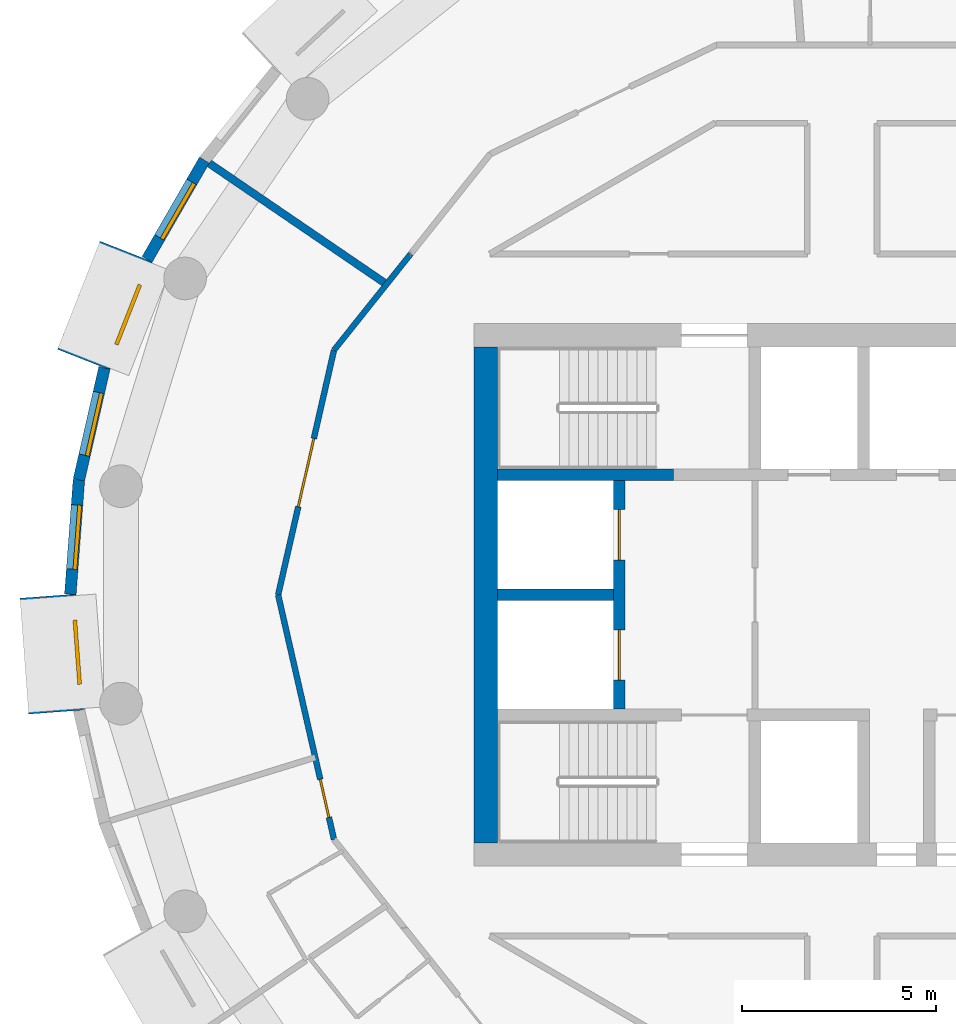
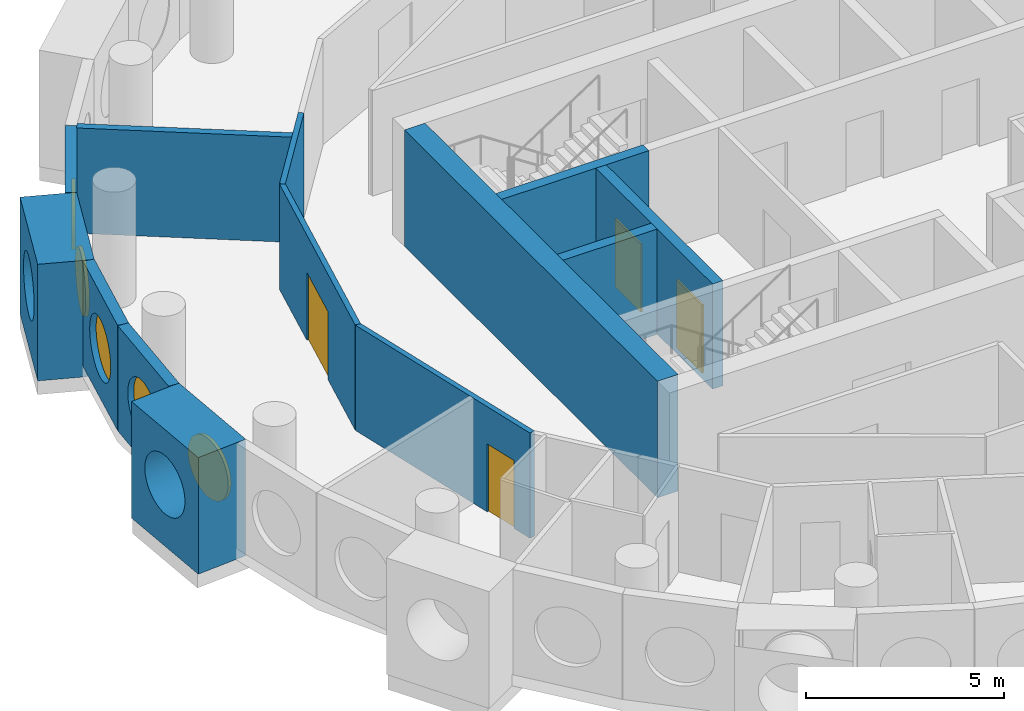
# One storey, part 6 of 13: 13 walls, 5 windows, 4 doors, 9 openings.
"""IFC4 building model written with IfcOpenShell, lengths in metres."""

from ifc_helpers import new_model, si_unit, direction, frame, frame_2d, origin, origin_2d, place, context, subcontext, project, spatial, rectangle, circle, extrude, material, layer, layer_set, type_object, element, fill, save


model = new_model("IFC4")

# Units and contexts
model_context = context("Model", 3, precision=1e-05, world=origin(), true_north=direction((0.0, 1.0)))
body_context = subcontext(model_context, "Body", "Model", "MODEL_VIEW")
ifc_project = project(units=[si_unit("LENGTHUNIT", "METRE"), si_unit("AREAUNIT", "SQUARE_METRE"), si_unit("VOLUMEUNIT", "CUBIC_METRE"), si_unit("PLANEANGLEUNIT", "RADIAN"), si_unit("MASSUNIT", "GRAM", prefix="KILO")], contexts=[model_context])

# Site, building, storey
site_placement = place(None, origin())
site = spatial("IfcSite", under=ifc_project, at=site_placement, CompositionType="ELEMENT")
building_placement = place(site_placement, origin())
building = spatial("IfcBuilding", under=site, at=building_placement, Name="Tracery Tower", CompositionType="ELEMENT")
storey_placement = place(building_placement, frame((0.0, 0.0, 252.60009765625)))
storey = spatial("IfcBuildingStorey", under=building, at=storey_placement, Name="L65", CompositionType="ELEMENT", Elevation=252.60009765625)

# Wall
ifc_material_1 = material(Name="Concrete C40/50", Category="concrete")
ifc_layer_1 = layer(ifc_material_1, 0.60009765625)
ifc_layer_set_1 = layer_set([ifc_layer_1], Name="Core wall 600 C40")
wall_type_1 = type_object("IfcWallType", Name="Core wall 600 C40", PredefinedType="SOLIDWALL", material=ifc_layer_set_1)
wall_1_placement = place(storey_placement, frame((-9.199951171875, -6.39990234375, 0.0), z_axis=(0.0, 0.0, 1.0), x_axis=(0.0, 1.0, 0.0)))
element("IfcWall", 1, at=wall_1_placement, inside=storey, type_object=wall_type_1, Name="L65 outer W", PredefinedType="SOLIDWALL", context=body_context, shape_type="SweptSolid", body=[
    extrude(rectangle(XDim=12.7998046875, YDim=0.60009765625, at=frame_2d((6.39990234375, 0.0))), origin(), (0.0, 0.0, 1.0), 3.599853515625),
])

# Wall, opening, window
ifc_material_2 = material(Name="Precast concrete C50/60", Category="concrete")
ifc_layer_2 = layer(ifc_material_2, 1.449951171875)
ifc_layer_set_2 = layer_set([ifc_layer_2], Name="Deep-set bay unit 3000 x 3600, slab edge 350")
wall_type_2 = type_object("IfcWallType", Name="Deep-set bay unit 3000 x 3600, slab edge 350", PredefinedType="ELEMENTEDWALL", material=ifc_layer_set_2)
wall_2_placement = place(storey_placement, frame((-18.47998046875, 8.8642578125, -0.35009765625), z_axis=(0.0, 0.0, 1.0), x_axis=(-0.36537792632, -0.93085926485, 0.0)))
wall_2 = element("IfcWall", 2, at=wall_2_placement, inside=storey, type_object=wall_type_2, Name="Deep-set bay unit 19 at L65", PredefinedType="ELEMENTEDWALL", context=body_context, shape_type="SweptSolid", body=[
    extrude(rectangle(XDim=3.000244140625, YDim=1.449951171875, at=frame_2d((1.5, 0.0))), origin(), (0.0, 0.0, 1.0), 3.60009765625),
])
opening_1_placement = place(wall_2_placement, frame((1.5, 0.0, 1.89990234375)))
opening_1 = element("IfcOpeningElement", 3, at=opening_1_placement, cuts=wall_2, Name="Opening WN1", PredefinedType="OPENING", context=body_context, shape_type="SweptSolid", body=[
    extrude(circle(Radius=0.9000244140625, at=origin_2d()), frame((0.0, 0.73486328125, 0.0), z_axis=(0.0, -1.0, 0.0), x_axis=(1.0, 0.0, 0.0)), (0.0, 0.0, 1.0), 1.469970703125),
])
ifc_material_3 = material(Name="Aluminium frame with tinted double glazing", Category="aluminium")
window_type = type_object("IfcWindowType", Name="Round window 1800", PartitioningType="SINGLE_PANEL", PredefinedType="WINDOW", material=ifc_material_3)
window_1_placement = place(opening_1_placement, origin())
window_1 = element("IfcWindow", 4, at=window_1_placement, inside=storey, type_object=window_type, Name="Round window 19 at L65", OverallHeight=1.800048828125, OverallWidth=1.800048828125, PartitioningType="SINGLE_PANEL", PredefinedType="WINDOW", context=body_context, shape_type="SweptSolid", body=[
    extrude(circle(Radius=0.9000244140625, at=origin_2d()), frame((0.0, 0.69482421875, 0.0), z_axis=(0.0, -1.0, 0.0), x_axis=(1.0, 0.0, 0.0)), (0.0, 0.0, 1.0), 0.10009765625),
])
fill(opening_1, window_1)

wall_3_placement = place(storey_placement, frame((-20.49609375, -0.03173828125, -0.35009765625), z_axis=(0.0, 0.0, 1.0), x_axis=(0.074785902127, -0.997199613339, 0.0)))
wall_3 = element("IfcWall", 5, at=wall_3_placement, inside=storey, type_object=wall_type_2, Name="Deep-set bay unit 22 at L65", PredefinedType="ELEMENTEDWALL", context=body_context, shape_type="SweptSolid", body=[
    extrude(rectangle(XDim=3.0, YDim=1.449951171875, at=frame_2d((1.5, 0.0))), origin(), (0.0, 0.0, 1.0), 3.60009765625),
])
opening_2_placement = place(wall_3_placement, frame((1.5, 0.0, 1.89990234375)))
opening_2 = element("IfcOpeningElement", 6, at=opening_2_placement, cuts=wall_3, Name="Opening WN1", PredefinedType="OPENING", context=body_context, shape_type="SweptSolid", body=[
    extrude(circle(Radius=0.9000244140625, at=origin_2d()), frame((0.0, 0.73486328125, 0.0), z_axis=(0.0, -1.0, 0.0), x_axis=(1.0, 0.0, 0.0)), (0.0, 0.0, 1.0), 1.469970703125),
])
window_2_placement = place(opening_2_placement, origin())
window_2 = element("IfcWindow", 7, at=window_2_placement, inside=storey, type_object=window_type, Name="Round window 22 at L65", OverallHeight=1.800048828125, OverallWidth=1.800048828125, PartitioningType="SINGLE_PANEL", PredefinedType="WINDOW", context=body_context, shape_type="SweptSolid", body=[
    extrude(circle(Radius=0.9000244140625, at=origin_2d()), frame((0.0, 0.69482421875, 0.0), z_axis=(0.0, -1.0, 0.0), x_axis=(1.0, 0.0, 0.0)), (0.0, 0.0, 1.0), 0.10009765625),
])
fill(opening_2, window_2)

ifc_material_4 = material(Name="Precast concrete C50/60", Category="concrete")
ifc_layer_3 = layer(ifc_material_4, 0.300048828125)
ifc_layer_set_3 = layer_set([ifc_layer_3], Name="Facade panel 3000 x 3250")
wall_type_3 = type_object("IfcWallType", Name="Facade panel 3000 x 3250", PredefinedType="SOLIDWALL", material=ifc_layer_set_3)
wall_4_placement = place(storey_placement, frame((-16.460205078125, 11.222412109375, 0.0), z_axis=(0.0, 0.0, 1.0), x_axis=(-0.499950756475, -0.86605383268, 0.0)))
wall_4 = element("IfcWall", 8, at=wall_4_placement, inside=storey, type_object=wall_type_3, Name="Facade panel 18 at L65", PredefinedType="SOLIDWALL", context=body_context, shape_type="SweptSolid", body=[
    extrude(rectangle(XDim=2.962158203125, YDim=0.300048828125, at=frame_2d((1.48095703125, 0.0))), origin(), (0.0, 0.0, 1.0), 3.25),
])
opening_3_placement = place(wall_4_placement, frame((1.48095703125, 0.0, 1.5498046875)))
opening_3 = element("IfcOpeningElement", 9, at=opening_3_placement, cuts=wall_4, Name="Opening WN1", PredefinedType="OPENING", context=body_context, shape_type="SweptSolid", body=[
    extrude(circle(Radius=0.9000244140625, at=origin_2d()), frame((0.0, 0.159912109375, 0.0), z_axis=(0.0, -1.0, 0.0), x_axis=(1.0, 0.0, 0.0)), (0.0, 0.0, 1.0), 0.320068359375),
])
window_3_placement = place(opening_3_placement, origin())
window_3 = element("IfcWindow", 10, at=window_3_placement, inside=storey, type_object=window_type, Name="Round window 18 at L65", OverallHeight=1.800048828125, OverallWidth=1.800048828125, PartitioningType="SINGLE_PANEL", PredefinedType="WINDOW", context=body_context, shape_type="SweptSolid", body=[
    extrude(circle(Radius=0.9000244140625, at=origin_2d()), frame((0.0, 0.1201171875, 0.0), z_axis=(0.0, -1.0, 0.0), x_axis=(1.0, 0.0, 0.0)), (0.0, 0.0, 1.0), 0.10009765625),
])
fill(opening_3, window_3)

wall_5_placement = place(storey_placement, frame((-19.0400390625, 5.857177734375, 0.0), z_axis=(0.0, 0.0, 1.0), x_axis=(-0.222529389789, -0.974925982155, 0.0)))
wall_5 = element("IfcWall", 11, at=wall_5_placement, inside=storey, type_object=wall_type_3, Name="Facade panel 20 at L65", PredefinedType="SOLIDWALL", context=body_context, shape_type="SweptSolid", body=[
    extrude(rectangle(XDim=2.962158203125, YDim=0.300048828125, at=frame_2d((1.48095703125, 0.0))), origin(), (0.0, 0.0, 1.0), 3.25),
])
opening_4_placement = place(wall_5_placement, frame((1.48095703125, 0.0, 1.5498046875)))
opening_4 = element("IfcOpeningElement", 12, at=opening_4_placement, cuts=wall_5, Name="Opening WN1", PredefinedType="OPENING", context=body_context, shape_type="SweptSolid", body=[
    extrude(circle(Radius=0.9000244140625, at=origin_2d()), frame((0.0, 0.159912109375, 0.0), z_axis=(0.0, -1.0, 0.0), x_axis=(1.0, 0.0, 0.0)), (0.0, 0.0, 1.0), 0.320068359375),
])
window_4_placement = place(opening_4_placement, origin())
window_4 = element("IfcWindow", 13, at=window_4_placement, inside=storey, type_object=window_type, Name="Round window 20 at L65", OverallHeight=1.800048828125, OverallWidth=1.800048828125, PartitioningType="SINGLE_PANEL", PredefinedType="WINDOW", context=body_context, shape_type="SweptSolid", body=[
    extrude(circle(Radius=0.9000244140625, at=origin_2d()), frame((0.0, 0.1201171875, 0.0), z_axis=(0.0, -1.0, 0.0), x_axis=(1.0, 0.0, 0.0)), (0.0, 0.0, 1.0), 0.10009765625),
])
fill(opening_4, window_4)

wall_6_placement = place(storey_placement, frame((-19.69921875, 2.96923828125, 0.0), z_axis=(0.0, 0.0, 1.0), x_axis=(-0.07474897196, -0.997202382263, 0.0)))
wall_6 = element("IfcWall", 14, at=wall_6_placement, inside=storey, type_object=wall_type_3, Name="Facade panel 21 at L65", PredefinedType="SOLIDWALL", context=body_context, shape_type="SweptSolid", body=[
    extrude(rectangle(XDim=2.96240234375, YDim=0.300048828125, at=frame_2d((1.481201171875, 0.0))), origin(), (0.0, 0.0, 1.0), 3.25),
])
opening_5_placement = place(wall_6_placement, frame((1.48095703125, 0.0, 1.5498046875)))
opening_5 = element("IfcOpeningElement", 15, at=opening_5_placement, cuts=wall_6, Name="Opening WN1", PredefinedType="OPENING", context=body_context, shape_type="SweptSolid", body=[
    extrude(circle(Radius=0.9000244140625, at=origin_2d()), frame((0.0, 0.159912109375, 0.0), z_axis=(0.0, -1.0, 0.0), x_axis=(1.0, 0.0, 0.0)), (0.0, 0.0, 1.0), 0.320068359375),
])
window_5_placement = place(opening_5_placement, origin())
window_5 = element("IfcWindow", 16, at=window_5_placement, inside=storey, type_object=window_type, Name="Round window 21 at L65", OverallHeight=1.800048828125, OverallWidth=1.800048828125, PartitioningType="SINGLE_PANEL", PredefinedType="WINDOW", context=body_context, shape_type="SweptSolid", body=[
    extrude(circle(Radius=0.9000244140625, at=origin_2d()), frame((0.0, 0.1201171875, 0.0), z_axis=(0.0, -1.0, 0.0), x_axis=(1.0, 0.0, 0.0)), (0.0, 0.0, 1.0), 0.10009765625),
])
fill(opening_5, window_5)

# Wall
ifc_material_5 = material(Name="Plasterboard on steel studs", Category="steel")
ifc_layer_4 = layer(ifc_material_5, 0.14990234375)
ifc_layer_set_4 = layer_set([ifc_layer_4], Name="Partition 150 corridor wall")
wall_type_4 = type_object("IfcWallType", Name="Partition 150 corridor wall", PredefinedType="PARTITIONING", material=ifc_layer_set_4)
wall_7_placement = place(storey_placement, frame((-13.115234375, 6.316162109375, 0.0), z_axis=(0.0, 0.0, 1.0), x_axis=(0.623560523309, 0.781775078761, 0.0)))
element("IfcWall", 17, at=wall_7_placement, inside=storey, type_object=wall_type_4, Name="Corridor wall RC3-034", PredefinedType="PARTITIONING", context=body_context, shape_type="SweptSolid", body=[
    extrude(rectangle(XDim=3.17724609375, YDim=0.14990234375, at=frame_2d((1.588623046875, 0.0))), origin(), (0.0, 0.0, 1.0), 3.25),
])

# Wall, opening, door
wall_8_placement = place(storey_placement, frame((-14.556884765625, 0.0, 0.0), z_axis=(0.0, 0.0, 1.0), x_axis=(0.22264061368, -0.974900588337, 0.0)))
wall_8 = element("IfcWall", 18, at=wall_8_placement, inside=storey, type_object=wall_type_4, Name="Corridor wall RC3-035", PredefinedType="PARTITIONING", context=body_context, shape_type="SweptSolid", body=[
    extrude(rectangle(XDim=6.478515625, YDim=0.14990234375, at=frame_2d((3.2392578125, 0.0))), origin(), (0.0, 0.0, 1.0), 3.25),
])
opening_6_placement = place(wall_8_placement, frame((4.888427734375, 0.0, 0.0)))
opening_6 = element("IfcOpeningElement", 19, at=opening_6_placement, cuts=wall_8, Name="Opening RC3-19", PredefinedType="OPENING", context=body_context, shape_type="SweptSolid", body=[
    extrude(rectangle(XDim=1.0, YDim=2.10009765625, at=frame_2d((0.5, 1.050048828125))), frame((0.0, 0.074951171875, 0.0), z_axis=(0.0, -1.0, 0.0), x_axis=(1.0, 0.0, 0.0)), (0.0, 0.0, 1.0), 0.14990234375),
])
ifc_material_6 = material(Name="Timber door leaf", Category="wood")
door_type_1 = type_object("IfcDoorType", Name="Door unit entrance 1000", OperationType="NOTDEFINED", PredefinedType="DOOR", material=ifc_material_6)
door_1_placement = place(opening_6_placement, origin())
door_1 = element("IfcDoor", 20, at=door_1_placement, inside=storey, type_object=door_type_1, Name="Unit entrance door RC3-19", OperationType="SINGLE_SWING_RIGHT", OverallHeight=2.10009765625, OverallWidth=1.0, PredefinedType="DOOR", context=body_context, shape_type="SweptSolid", body=[
    extrude(rectangle(XDim=1.0, YDim=2.10009765625, at=frame_2d((0.5, 1.050048828125))), frame((0.0, 0.02490234375, 0.0), z_axis=(0.0, -1.0, 0.0), x_axis=(1.0, 0.0, 0.0)), (0.0, 0.0, 1.0), 0.050048828125),
])
fill(opening_6, door_1)

wall_9_placement = place(storey_placement, frame((-14.556884765625, 0.0, 0.0), z_axis=(0.0, 0.0, 1.0), x_axis=(0.222568978642, 0.97491694505, 0.0)))
wall_9 = element("IfcWall", 21, at=wall_9_placement, inside=storey, type_object=wall_type_4, Name="Corridor wall RC3-036", PredefinedType="PARTITIONING", context=body_context, shape_type="SweptSolid", body=[
    extrude(rectangle(XDim=6.478515625, YDim=0.14990234375, at=frame_2d((3.2392578125, 0.0))), origin(), (0.0, 0.0, 1.0), 3.25),
])
opening_7_placement = place(wall_9_placement, frame((2.339111328125, 0.0, 0.0)))
opening_7 = element("IfcOpeningElement", 22, at=opening_7_placement, cuts=wall_9, Name="Opening RC3-17", PredefinedType="OPENING", context=body_context, shape_type="SweptSolid", body=[
    extrude(rectangle(XDim=1.800048828125, YDim=2.10009765625, at=frame_2d((0.89990234375, 1.050048828125))), frame((0.0, 0.074951171875, 0.0), z_axis=(0.0, -1.0, 0.0), x_axis=(1.0, 0.0, 0.0)), (0.0, 0.0, 1.0), 0.14990234375),
])
ifc_material_7 = material(Name="Timber door leaf", Category="wood")
door_type_2 = type_object("IfcDoorType", Name="Door double lounge 1800", OperationType="NOTDEFINED", PredefinedType="DOOR", material=ifc_material_7)
door_2_placement = place(opening_7_placement, origin())
door_2 = element("IfcDoor", 23, at=door_2_placement, inside=storey, type_object=door_type_2, Name="Double lounge door RC3-17", OperationType="DOUBLE_DOOR_SINGLE_SWING", OverallHeight=2.10009765625, OverallWidth=1.800048828125, PredefinedType="DOOR", context=body_context, shape_type="SweptSolid", body=[
    extrude(rectangle(XDim=1.800048828125, YDim=2.10009765625, at=frame_2d((0.89990234375, 1.050048828125))), frame((0.0, 0.02490234375, 0.0), z_axis=(0.0, -1.0, 0.0), x_axis=(1.0, 0.0, 0.0)), (0.0, 0.0, 1.0), 0.050048828125),
])
fill(opening_7, door_2)

# Walls
ifc_material_8 = material(Name="Plasterboard on steel studs", Category="steel")
ifc_layer_5 = layer(ifc_material_8, 0.199951171875)
ifc_layer_set_5 = layer_set([ifc_layer_5], Name="Partition 200 compartment wall")
wall_type_5 = type_object("IfcWallType", Name="Partition 200 compartment wall", PredefinedType="PARTITIONING", material=ifc_layer_set_5)
wall_10_placement = place(storey_placement, frame((-16.3359375, 11.137939453125, 0.0), z_axis=(0.0, 0.0, 1.0), x_axis=(0.826207761897, -0.563365542238, 0.0)))
element("IfcWall", 24, at=wall_10_placement, inside=storey, type_object=wall_type_5, Name="Compartment wall RC3-068", PredefinedType="PARTITIONING", context=body_context, shape_type="SweptSolid", body=[
    extrude(rectangle(XDim=5.53955078125, YDim=0.199951171875, at=frame_2d((2.769775390625, 0.0))), origin(), (0.0, 0.0, 1.0), 3.25),
])
ifc_material_9 = material(Name="Concrete C40/50", Category="concrete")
ifc_layer_6 = layer(ifc_material_9, 0.300048828125)
ifc_layer_set_6 = layer_set([ifc_layer_6], Name="Shaft wall 300 C40")
wall_type_6 = type_object("IfcWallType", Name="Shaft wall 300 C40", PredefinedType="SOLIDWALL", material=ifc_layer_set_6)
wall_11_placement = place(storey_placement, frame((-8.89990234375, 0.0, 0.0), z_axis=(0.0, 0.0, 1.0), x_axis=(1.0, 0.0, 0.0)))
element("IfcWall", 25, at=wall_11_placement, inside=storey, type_object=wall_type_6, Name="L65 FF split", PredefinedType="SOLIDWALL", context=body_context, shape_type="SweptSolid", body=[
    extrude(rectangle(XDim=3.0, YDim=0.300048828125, at=frame_2d((1.5, 0.0))), origin(), (0.0, 0.0, 1.0), 3.25),
])

# Wall, openings, doors
wall_12_placement = place(storey_placement, frame((-5.75, -2.949951171875, 0.0), z_axis=(0.0, 0.0, 1.0), x_axis=(0.0, 1.0, 0.0)))
wall_12 = element("IfcWall", 26, at=wall_12_placement, inside=storey, type_object=wall_type_6, Name="L65 FF doors", PredefinedType="SOLIDWALL", context=body_context, shape_type="SweptSolid", body=[
    extrude(rectangle(XDim=5.89990234375, YDim=0.300048828125, at=frame_2d((2.949951171875, 0.0))), origin(), (0.0, 0.0, 1.0), 3.25),
])
opening_8_placement = place(wall_12_placement, frame((0.75, 0.0, 0.0)))
opening_8 = element("IfcOpeningElement", 27, at=opening_8_placement, cuts=wall_12, Name="Opening KD54", PredefinedType="OPENING", context=body_context, shape_type="SweptSolid", body=[
    extrude(rectangle(XDim=1.300048828125, YDim=2.10009765625, at=frame_2d((0.64990234375, 1.050048828125))), frame((0.0, 0.14990234375, 0.0), z_axis=(0.0, -1.0, 0.0), x_axis=(1.0, 0.0, 0.0)), (0.0, 0.0, 1.0), 0.300048828125),
])
opening_9_placement = place(wall_12_placement, frame((3.85009765625, 0.0, 0.0)))
opening_9 = element("IfcOpeningElement", 28, at=opening_9_placement, cuts=wall_12, Name="Opening KD55", PredefinedType="OPENING", context=body_context, shape_type="SweptSolid", body=[
    extrude(rectangle(XDim=1.300048828125, YDim=2.10009765625, at=frame_2d((0.64990234375, 1.050048828125))), frame((0.0, 0.14990234375, 0.0), z_axis=(0.0, -1.0, 0.0), x_axis=(1.0, 0.0, 0.0)), (0.0, 0.0, 1.0), 0.300048828125),
])
ifc_material_10 = material(Name="Steel fire door", Category="steel")
door_type_3 = type_object("IfcDoorType", Name="Landing door FF 1300", OperationType="NOTDEFINED", PredefinedType="DOOR", material=ifc_material_10)
door_3_placement = place(opening_8_placement, origin())
door_3 = element("IfcDoor", 29, at=door_3_placement, inside=storey, type_object=door_type_3, Name="Landing door FF1", OperationType="SLIDING_TO_LEFT", OverallHeight=2.10009765625, OverallWidth=1.300048828125, PredefinedType="DOOR", context=body_context, shape_type="SweptSolid", body=[
    extrude(rectangle(XDim=1.300048828125, YDim=2.10009765625, at=frame_2d((0.64990234375, 1.050048828125))), frame((0.0, 0.02490234375, 0.0), z_axis=(0.0, -1.0, 0.0), x_axis=(1.0, 0.0, 0.0)), (0.0, 0.0, 1.0), 0.050048828125),
])
fill(opening_8, door_3)
door_4_placement = place(opening_9_placement, origin())
door_4 = element("IfcDoor", 30, at=door_4_placement, inside=storey, type_object=door_type_3, Name="Landing door FF2", OperationType="SLIDING_TO_RIGHT", OverallHeight=2.10009765625, OverallWidth=1.300048828125, PredefinedType="DOOR", context=body_context, shape_type="SweptSolid", body=[
    extrude(rectangle(XDim=1.300048828125, YDim=2.10009765625, at=frame_2d((0.64990234375, 1.050048828125))), frame((0.0, 0.02490234375, 0.0), z_axis=(0.0, -1.0, 0.0), x_axis=(1.0, 0.0, 0.0)), (0.0, 0.0, 1.0), 0.050048828125),
])
fill(opening_9, door_4)

# Wall
ifc_material_11 = material(Name="Concrete C40/50", Category="concrete")
ifc_layer_7 = layer(ifc_material_11, 0.300048828125)
ifc_layer_set_7 = layer_set([ifc_layer_7], Name="Stair wall 300 C40")
wall_type_7 = type_object("IfcWallType", Name="Stair wall 300 C40", PredefinedType="SOLIDWALL", material=ifc_layer_set_7)
wall_13_placement = place(storey_placement, frame((-8.89990234375, 3.10009765625, 0.0), z_axis=(0.0, 0.0, 1.0), x_axis=(1.0, 0.0, 0.0)))
element("IfcWall", 31, at=wall_13_placement, inside=storey, type_object=wall_type_7, Name="L65 row N W", PredefinedType="SOLIDWALL", context=body_context, shape_type="SweptSolid", body=[
    extrude(rectangle(XDim=4.5498046875, YDim=0.300048828125, at=frame_2d((2.27490234375, 0.0))), origin(), (0.0, 0.0, 1.0), 3.25),
])

save(model, "model.ifc")
